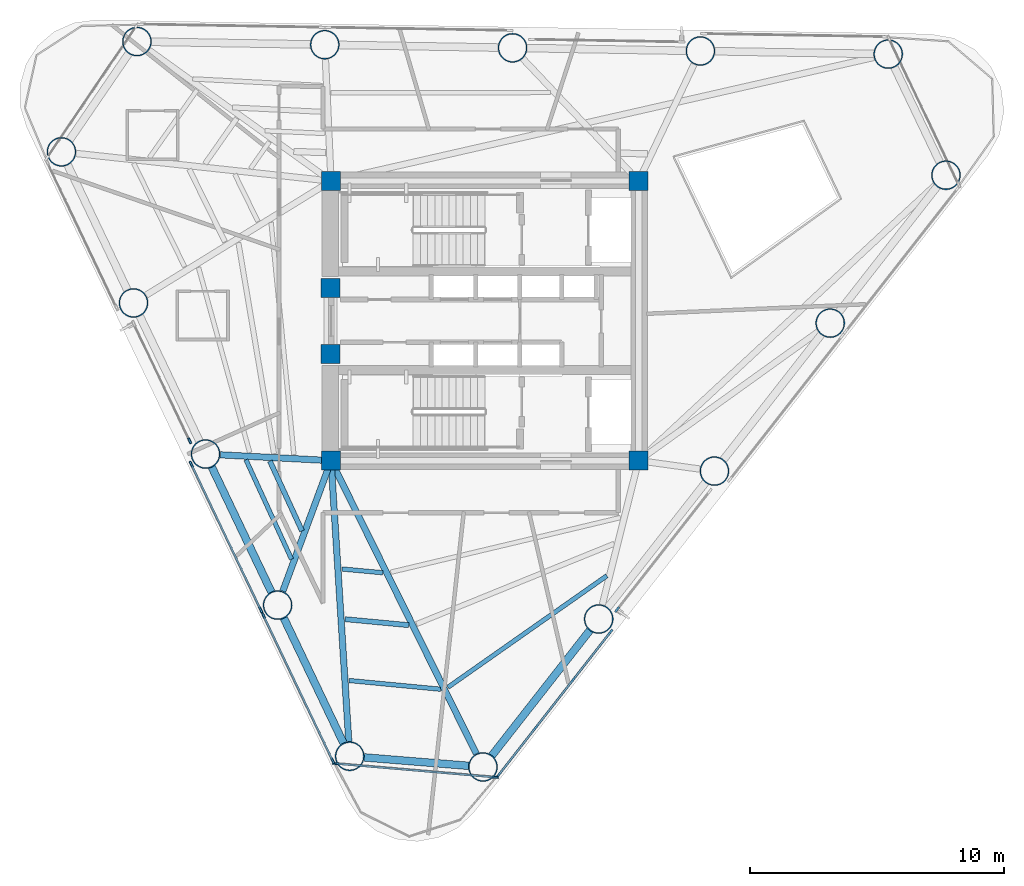
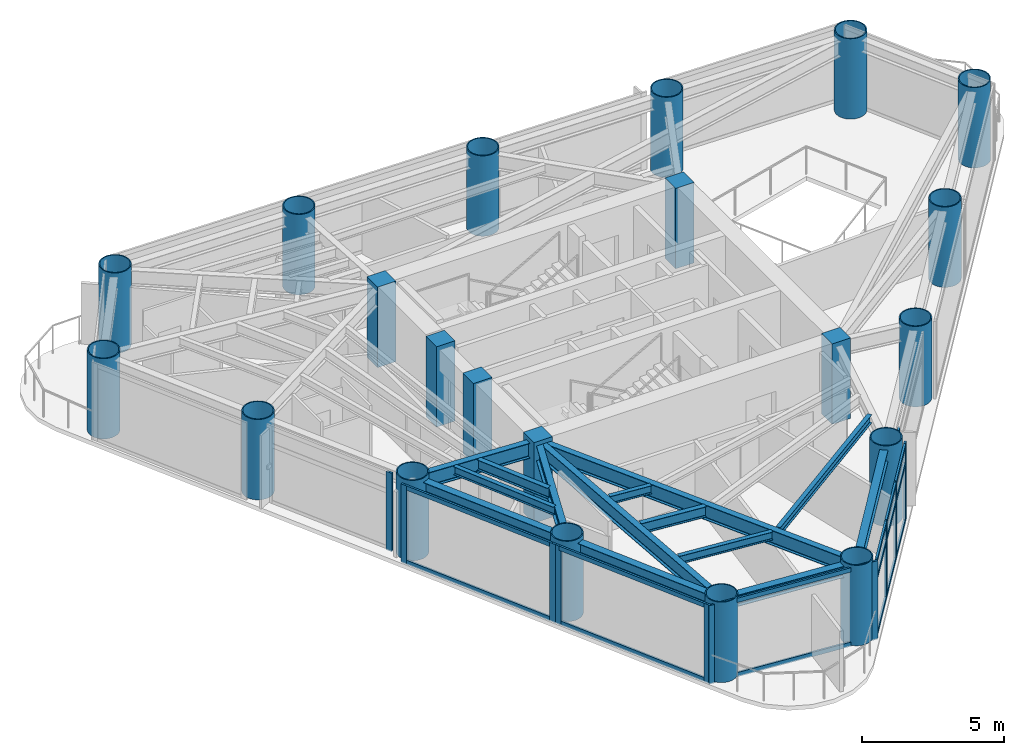
# One storey, part 1 of 9: 27 members, 21 columns, 14 beams, 6 elements without a shape of their own.
"""IFC4 building model written with IfcOpenShell, lengths in metres."""

from ifc_helpers import new_model, si_unit, direction, frame, origin, origin_2d, place, context, subcontext, project, spatial, rectangle, hollow_circle, i_section, extrude, source, transform, mapped, material, layer, layer_set, material_profile, profile_set, type_object, element, aggregate, save


model = new_model("IFC4")

# Units and contexts
model_context = context("Model", 3, precision=1e-05, world=origin(), true_north=direction((0.0, 1.0)))
body_context = subcontext(model_context, "Body", "Model", "MODEL_VIEW")
ifc_project = project(units=[si_unit("LENGTHUNIT", "METRE"), si_unit("AREAUNIT", "SQUARE_METRE"), si_unit("VOLUMEUNIT", "CUBIC_METRE"), si_unit("PLANEANGLEUNIT", "RADIAN"), si_unit("MASSUNIT", "GRAM", prefix="KILO")], contexts=[model_context])

# Site, building, storey
site_placement = place(None, origin())
site = spatial("IfcSite", under=ifc_project, at=site_placement, CompositionType="ELEMENT")
building_placement = place(site_placement, origin())
building = spatial("IfcBuilding", under=site, at=building_placement, Name="Yunling Apex Tower", CompositionType="ELEMENT")
storey_placement = place(building_placement, frame((0.0, 0.0, 208.699951171875)))
storey = spatial("IfcBuildingStorey", under=building, at=storey_placement, Name="L51", CompositionType="ELEMENT", Elevation=208.699951171875)

# Columns
ifc_material_1 = material(Name="Concrete C50", Category="concrete")
ifc_material_profile_1 = material_profile(ifc_material_1, rectangle(XDim=0.75, YDim=0.75, at=origin_2d()))
ifc_profile_set_1 = profile_set([ifc_material_profile_1], Name="Concrete C50")
column_type_1 = type_object("IfcColumnType", Name="PC-SRC-4", PredefinedType="COLUMN", material=ifc_profile_set_1)
shared_shape_1 = source(origin(), body_context, "Body", "SweptSolid", [
    extrude(rectangle(XDim=0.75, YDim=0.75, at=origin_2d()), origin(), (0.0, 0.0, 1.0), 3.449951171875),
])
for number, where, z_axis, x_axis, name in (
    (1, (-6.050048828125, -5.5, 0.0), (0.0, 0.0, 1.0), (1.0, 0.0, 0.0), "L51 Core Spine Column CC-SW"),
    (2, (6.050048828125, -5.5, 0.0), (0.0, 0.0, 1.0), (1.0, 0.0, 0.0), "L51 Core Spine Column CC-SE"),
    (3, (6.050048828125, 5.5, 0.0), (0.0, 0.0, 1.0), (1.0, 0.0, 0.0), "L51 Core Spine Column CC-NE"),
    (4, (-6.050048828125, 5.5, 0.0), (0.0, 0.0, 1.0), (1.0, 0.0, 0.0), "L51 Core Spine Column CC-NW"),
    (5, (-6.074951171875, -1.300048828125, 0.0), (0.0, 0.0, 1.0), (1.0, 0.0, 0.0), "L51 Core West Portal Jamb Column S"),
    (6, (-6.074951171875, 1.300048828125, 0.0), (0.0, 0.0, 1.0), (1.0, 0.0, 0.0), "L51 Core West Portal Jamb Column N"),
):
    element("IfcColumn", number, at=place(storey_placement, frame(where, z_axis=z_axis, x_axis=x_axis)), inside=storey, type_object=column_type_1, Name=name, PredefinedType="COLUMN", context=body_context, shape_type="MappedRepresentation", body=[
        mapped(shared_shape_1, transform((0.0, 0.0, 0.0), scale=1.0)),
    ])
ifc_material_2 = material(Name="Steel Q390GJC", Category="steel")
ifc_material_profile_2 = material_profile(ifc_material_2, hollow_circle(Radius=0.574951171875, WallThickness=0.0419921875, at=origin_2d()))
ifc_profile_set_2 = profile_set([ifc_material_profile_2], Name="Steel Q390GJC")
column_type_2 = type_object("IfcColumnType", Name="MC-CFST-4", PredefinedType="COLUMN", material=ifc_profile_set_2)
shared_shape_2 = source(origin(), body_context, "Body", "SweptSolid", [
    extrude(hollow_circle(Radius=0.574951171875, WallThickness=0.0419921875, at=origin_2d()), origin(), (0.0, 0.0, 1.0), 3.449951171875),
])
for number, where, z_axis, x_axis, name in (
    (7, (-0.073486328125, -17.55322265625, 0.0), (0.0, 0.0, 1.0), (1.0, 0.0, 0.0), "L51 Perimeter CFST Mega-Column P01"),
    (8, (4.480712890625, -11.732177734375, 0.0), (0.0, 0.0, 1.0), (1.0, 0.0, 0.0), "L51 Perimeter CFST Mega-Column P02"),
    (9, (9.03515625, -5.911376953125, 0.0), (0.0, 0.0, 1.0), (1.0, 0.0, 0.0), "L51 Perimeter CFST Mega-Column P03"),
    (10, (13.589599609375, -0.09033203125, 0.0), (0.0, 0.0, 1.0), (1.0, 0.0, 0.0), "L51 Perimeter CFST Mega-Column P04"),
    (11, (18.143798828125, 5.730712890625, 0.0), (0.0, 0.0, 1.0), (1.0, 0.0, 0.0), "L51 Perimeter CFST Mega-Column P05"),
    (12, (15.871826171875, 10.493896484375, 0.0), (0.0, 0.0, 1.0), (1.0, 0.0, 0.0), "L51 Perimeter CFST Mega-Column P06"),
    (13, (8.48193359375, 10.617919921875, 0.0), (0.0, 0.0, 1.0), (1.0, 0.0, 0.0), "L51 Perimeter CFST Mega-Column P07"),
    (14, (1.092041015625, 10.74169921875, 0.0), (0.0, 0.0, 1.0), (1.0, 0.0, 0.0), "L51 Perimeter CFST Mega-Column P08"),
    (15, (-6.2978515625, 10.865478515625, 0.0), (0.0, 0.0, 1.0), (1.0, 0.0, 0.0), "L51 Perimeter CFST Mega-Column P09"),
    (16, (-13.687744140625, 10.989501953125, 0.0), (0.0, 0.0, 1.0), (1.0, 0.0, 0.0), "L51 Perimeter CFST Mega-Column P10"),
    (17, (-16.657958984375, 6.649169921875, 0.0), (0.0, 0.0, 1.0), (1.0, 0.0, 0.0), "L51 Perimeter CFST Mega-Column P11"),
    (18, (-13.822509765625, 0.704345703125, 0.0), (0.0, 0.0, 1.0), (1.0, 0.0, 0.0), "L51 Perimeter CFST Mega-Column P12"),
    (19, (-10.98681640625, -5.240478515625, 0.0), (0.0, 0.0, 1.0), (1.0, 0.0, 0.0), "L51 Perimeter CFST Mega-Column P13"),
    (20, (-8.1513671875, -11.185302734375, 0.0), (0.0, 0.0, 1.0), (1.0, 0.0, 0.0), "L51 Perimeter CFST Mega-Column P14"),
    (21, (-5.31591796875, -17.130126953125, 0.0), (0.0, 0.0, 1.0), (1.0, 0.0, 0.0), "L51 Perimeter CFST Mega-Column P15"),
):
    element("IfcColumn", number, at=place(storey_placement, frame(where, z_axis=z_axis, x_axis=x_axis)), inside=storey, type_object=column_type_2, Name=name, PredefinedType="COLUMN", context=body_context, shape_type="MappedRepresentation", body=[
        mapped(shared_shape_2, transform((0.0, 0.0, 0.0), scale=1.0)),
    ])

# Beams
ifc_material_3 = material(Name="Steel Q355B", Category="steel")
ifc_material_profile_3 = material_profile(ifc_material_3, i_section(OverallWidth=0.300048828125, OverallDepth=0.489990234375, WebThickness=0.010986328125, FlangeThickness=0.01806640625, FilletRadius=0.02197265625, at=origin_2d()))
ifc_profile_set_3 = profile_set([ifc_material_profile_3], Name="Steel Q355B")
beam_type_1 = type_object("IfcBeamType", Name="BP-SPN-2", PredefinedType="SPANDREL", material=ifc_profile_set_3)
shared_shape_3 = source(origin(), body_context, "Body", "SweptSolid", [
    extrude(i_section(OverallWidth=0.300048828125, OverallDepth=0.489990234375, WebThickness=0.010986328125, FlangeThickness=0.01806640625, FilletRadius=0.02197265625, at=origin_2d()), origin(), (0.0, 0.0, 1.0), 6.252685546875),
])
beam_1_placement = place(storey_placement, frame((0.277099609375, -17.10498046875, 3.025146484375), z_axis=(0.616211399259, 0.787580796759, 0.0), x_axis=(-0.787580796759, 0.616211399259, 0.0)))
element("IfcBeam", 22, at=beam_1_placement, inside=storey, type_object=beam_type_1, Name="L51 Perimeter Spandrel Beam 1", PredefinedType="SPANDREL", context=body_context, shape_type="MappedRepresentation", body=[
    mapped(shared_shape_3, transform((0.0, 0.0, 0.0), scale=1.0)),
])
shared_shape_4 = source(origin(), body_context, "Body", "SweptSolid", [
    extrude(i_section(OverallWidth=0.300048828125, OverallDepth=0.489990234375, WebThickness=0.010986328125, FlangeThickness=0.01806640625, FilletRadius=0.02197265625, at=origin_2d()), origin(), (0.0, 0.0, 1.0), 4.121337890625),
])
beam_2_placement = place(storey_placement, frame((-4.74853515625, -17.17578125, 3.025146484375), z_axis=(0.996758900332, -0.080446843376, 0.0), x_axis=(0.080446843376, 0.996758900332, 0.0)))
element("IfcBeam", 23, at=beam_2_placement, inside=storey, type_object=beam_type_1, Name="L51 Perimeter Spandrel Beam 15", PredefinedType="SPANDREL", context=body_context, shape_type="MappedRepresentation", body=[
    mapped(shared_shape_4, transform((0.0, 0.0, 0.0), scale=1.0)),
])
shared_shape_5 = source(origin(), body_context, "Body", "SweptSolid", [
    extrude(i_section(OverallWidth=0.300048828125, OverallDepth=0.489990234375, WebThickness=0.010986328125, FlangeThickness=0.01806640625, FilletRadius=0.02197265625, at=origin_2d()), origin(), (0.0, 0.0, 1.0), 5.4482421875),
])
for number, where, z_axis, x_axis, name in (
    (24, (-10.741943359375, -5.754150390625, 3.025146484375), (0.430538797564, -0.902572071246, 0.0), (0.902572071246, 0.430538797564, 0.0), "L51 Perimeter Spandrel Beam 13"),
    (25, (-7.90625, -11.698974609375, 3.025146484375), (0.430502292287, -0.902589483839, 0.0), (0.902589483839, 0.430502292287, 0.0), "L51 Perimeter Spandrel Beam 14"),
):
    element("IfcBeam", number, at=place(storey_placement, frame(where, z_axis=z_axis, x_axis=x_axis)), inside=storey, type_object=beam_type_1, Name=name, PredefinedType="SPANDREL", context=body_context, shape_type="MappedRepresentation", body=[
        mapped(shared_shape_5, transform((0.0, 0.0, 0.0), scale=1.0)),
    ])
ifc_material_profile_4 = material_profile(ifc_material_3, i_section(OverallWidth=0.25, OverallDepth=0.64990234375, WebThickness=0.011962890625, FlangeThickness=0.02001953125, FilletRadius=0.02392578125, at=origin_2d()))
ifc_profile_set_4 = profile_set([ifc_material_profile_4], Name="Steel Q355B")
beam_type_2 = type_object("IfcBeamType", Name="BG-PRI-4", PredefinedType="USERDEFINED", material=ifc_profile_set_4)
shared_shape_6 = source(origin(), body_context, "Body", "SweptSolid", [
    extrude(i_section(OverallWidth=0.25, OverallDepth=0.64990234375, WebThickness=0.011962890625, FlangeThickness=0.02001953125, FilletRadius=0.02392578125, at=origin_2d()), origin(), (0.0, 0.0, 1.0), 12.79052734375),
])
beam_3_placement = place(storey_placement, frame((-0.33251953125, -17.031005859375, 2.945068359375), z_axis=(-0.444225803272, 0.895914859631, 0.0), x_axis=(-0.895914859631, -0.444225803272, 0.0)))
element("IfcBeam", 26, at=beam_3_placement, inside=storey, type_object=beam_type_2, Name="L51 Radial Primary Girder R01", ObjectType="GIRDER", PredefinedType="USERDEFINED", context=body_context, shape_type="MappedRepresentation", body=[
    mapped(shared_shape_6, transform((0.0, 0.0, 0.0), scale=1.0)),
])
shared_shape_7 = source(origin(), body_context, "Body", "SweptSolid", [
    extrude(i_section(OverallWidth=0.25, OverallDepth=0.64990234375, WebThickness=0.011962890625, FlangeThickness=0.02001953125, FilletRadius=0.02392578125, at=origin_2d()), origin(), (0.0, 0.0, 1.0), 4.28076171875),
])
beam_4_placement = place(storey_placement, frame((-10.40478515625, -5.27099609375, 2.945068359375), z_axis=(0.998619561788, -0.052525906134, 0.0), x_axis=(0.052525906134, 0.998619561788, 0.0)))
element("IfcBeam", 27, at=beam_4_placement, inside=storey, type_object=beam_type_2, Name="L51 Radial Primary Girder R13", ObjectType="GIRDER", PredefinedType="USERDEFINED", context=body_context, shape_type="MappedRepresentation", body=[
    mapped(shared_shape_7, transform((0.0, 0.0, 0.0), scale=1.0)),
])
shared_shape_8 = source(origin(), body_context, "Body", "SweptSolid", [
    extrude(i_section(OverallWidth=0.25, OverallDepth=0.64990234375, WebThickness=0.011962890625, FlangeThickness=0.02001953125, FilletRadius=0.02392578125, at=origin_2d()), origin(), (0.0, 0.0, 1.0), 5.398193359375),
])
beam_5_placement = place(storey_placement, frame((-7.94921875, -10.638427734375, 2.945068359375), z_axis=(0.346698581513, 0.937976595431, 0.0), x_axis=(-0.937976595431, 0.346698581513, 0.0)))
element("IfcBeam", 28, at=beam_5_placement, inside=storey, type_object=beam_type_2, Name="L51 Radial Primary Girder R14", ObjectType="GIRDER", PredefinedType="USERDEFINED", context=body_context, shape_type="MappedRepresentation", body=[
    mapped(shared_shape_8, transform((0.0, 0.0, 0.0), scale=1.0)),
])
shared_shape_9 = source(origin(), body_context, "Body", "SweptSolid", [
    extrude(i_section(OverallWidth=0.25, OverallDepth=0.64990234375, WebThickness=0.011962890625, FlangeThickness=0.02001953125, FilletRadius=0.02392578125, at=origin_2d()), origin(), (0.0, 0.0, 1.0), 10.990234375),
])
beam_6_placement = place(storey_placement, frame((-5.3525390625, -16.54833984375, 2.945068359375), z_axis=(-0.062999232086, 0.998013575437, 0.0), x_axis=(-0.998013575437, -0.062999232086, 0.0)))
element("IfcBeam", 29, at=beam_6_placement, inside=storey, type_object=beam_type_2, Name="L51 Radial Primary Girder R15", ObjectType="GIRDER", PredefinedType="USERDEFINED", context=body_context, shape_type="MappedRepresentation", body=[
    mapped(shared_shape_9, transform((0.0, 0.0, 0.0), scale=1.0)),
])
ifc_material_profile_5 = material_profile(ifc_material_3, i_section(OverallWidth=0.175048828125, OverallDepth=0.35009765625, WebThickness=0.007080078125, FlangeThickness=0.010986328125, FilletRadius=0.013916015625, at=origin_2d()))
ifc_profile_set_5 = profile_set([ifc_material_profile_5], Name="Steel Q355B")
beam_type_3 = type_object("IfcBeamType", Name="BJ-JST-1", PredefinedType="JOIST", material=ifc_profile_set_5)
shared_shape_10 = source(origin(), body_context, "Body", "SweptSolid", [
    extrude(i_section(OverallWidth=0.175048828125, OverallDepth=0.35009765625, WebThickness=0.007080078125, FlangeThickness=0.010986328125, FilletRadius=0.013916015625, at=origin_2d()), origin(), (0.0, 0.0, 1.0), 7.639892578125),
])
beam_7_placement = place(storey_placement, frame((-1.45166015625, -14.41796875, 3.094970703125), z_axis=(0.818522685397, 0.574474206113, 0.0), x_axis=(-0.574474206113, 0.818522685397, 0.0)))
element("IfcBeam", 30, at=beam_7_placement, inside=storey, type_object=beam_type_3, Name="L51 Composite Floor Joist BJ1-1", PredefinedType="JOIST", context=body_context, shape_type="MappedRepresentation", body=[
    mapped(shared_shape_10, transform((0.0, 0.0, 0.0), scale=1.0)),
])
ifc_material_profile_6 = material_profile(ifc_material_3, i_section(OverallWidth=0.199951171875, OverallDepth=0.449951171875, WebThickness=0.009033203125, FlangeThickness=0.013916015625, FilletRadius=0.01806640625, at=origin_2d()))
ifc_profile_set_6 = profile_set([ifc_material_profile_6], Name="Steel Q355B")
beam_type_4 = type_object("IfcBeamType", Name="BS-SEC-3", PredefinedType="BEAM", material=ifc_profile_set_6)
shared_shape_11 = source(origin(), body_context, "Body", "SweptSolid", [
    extrude(i_section(OverallWidth=0.199951171875, OverallDepth=0.449951171875, WebThickness=0.009033203125, FlangeThickness=0.013916015625, FilletRadius=0.01806640625, at=origin_2d()), origin(), (0.0, 0.0, 1.0), 3.0263671875),
])
beam_8_placement = place(storey_placement, frame((-8.456787109375, -5.515380859375, 3.045166015625), z_axis=(0.417707186738, -0.908581700315, 0.0), x_axis=(0.908581700315, 0.417707186738, 0.0)))
element("IfcBeam", 31, at=beam_8_placement, inside=storey, type_object=beam_type_4, Name="L51 Composite Floor Beam BS-13", PredefinedType="BEAM", context=body_context, shape_type="MappedRepresentation", body=[
    mapped(shared_shape_11, transform((0.0, 0.0, 0.0), scale=1.0)),
])
shared_shape_12 = source(origin(), body_context, "Body", "SweptSolid", [
    extrude(i_section(OverallWidth=0.175048828125, OverallDepth=0.35009765625, WebThickness=0.007080078125, FlangeThickness=0.010986328125, FilletRadius=0.013916015625, at=origin_2d()), origin(), (0.0, 0.0, 1.0), 4.3046875),
])
beam_9_placement = place(storey_placement, frame((-9.397705078125, -5.466064453125, 3.094970703125), z_axis=(0.416693768596, -0.909046920248, 0.0), x_axis=(0.909046920248, 0.416693768596, 0.0)))
element("IfcBeam", 32, at=beam_9_placement, inside=storey, type_object=beam_type_3, Name="L51 Composite Floor Joist BJ1-13", PredefinedType="JOIST", context=body_context, shape_type="MappedRepresentation", body=[
    mapped(shared_shape_12, transform((0.0, 0.0, 0.0), scale=1.0)),
])
shared_shape_13 = source(origin(), body_context, "Body", "SweptSolid", [
    extrude(i_section(OverallWidth=0.199951171875, OverallDepth=0.449951171875, WebThickness=0.009033203125, FlangeThickness=0.013916015625, FilletRadius=0.01806640625, at=origin_2d()), origin(), (0.0, 0.0, 1.0), 2.51708984375),
])
beam_10_placement = place(storey_placement, frame((-5.497802734375, -11.7373046875, 3.045166015625), z_axis=(0.995573168634, -0.093989711653, 0.0), x_axis=(0.093989711653, 0.995573168634, 0.0)))
element("IfcBeam", 33, at=beam_10_placement, inside=storey, type_object=beam_type_4, Name="L51 Composite Floor Beam BS-15", PredefinedType="BEAM", context=body_context, shape_type="MappedRepresentation", body=[
    mapped(shared_shape_13, transform((0.0, 0.0, 0.0), scale=1.0)),
])
shared_shape_14 = source(origin(), body_context, "Body", "SweptSolid", [
    extrude(i_section(OverallWidth=0.175048828125, OverallDepth=0.35009765625, WebThickness=0.007080078125, FlangeThickness=0.010986328125, FilletRadius=0.013916015625, at=origin_2d()), origin(), (0.0, 0.0, 1.0), 3.620361328125),
])
beam_11_placement = place(storey_placement, frame((-5.345703125, -14.150390625, 3.094970703125), z_axis=(0.99546937037, -0.095082767391, 0.0), x_axis=(0.095082767391, 0.99546937037, 0.0)))
element("IfcBeam", 34, at=beam_11_placement, inside=storey, type_object=beam_type_3, Name="L51 Composite Floor Joist BJ1-15", PredefinedType="JOIST", context=body_context, shape_type="MappedRepresentation", body=[
    mapped(shared_shape_14, transform((0.0, 0.0, 0.0), scale=1.0)),
])
shared_shape_15 = source(origin(), body_context, "Body", "SweptSolid", [
    extrude(i_section(OverallWidth=0.175048828125, OverallDepth=0.35009765625, WebThickness=0.007080078125, FlangeThickness=0.010986328125, FilletRadius=0.013916015625, at=origin_2d()), origin(), (0.0, 0.0, 1.0), 1.61474609375),
])
beam_12_placement = place(storey_placement, frame((-5.62255859375, -9.7626953125, 3.094970703125), z_axis=(0.995751976421, -0.092076063413, 0.0), x_axis=(0.092076063413, 0.995751976421, 0.0)))
element("IfcBeam", 35, at=beam_12_placement, inside=storey, type_object=beam_type_3, Name="L51 Composite Floor Joist BJ3-15", PredefinedType="JOIST", context=body_context, shape_type="MappedRepresentation", body=[
    mapped(shared_shape_15, transform((0.0, 0.0, 0.0), scale=1.0)),
])

# Curtain wall, members
ifc_material_4 = material(Name="Bronze anodised aluminium", Category="aluminium")
ifc_layer = layer(ifc_material_4, 0.239990234375)
ifc_layer_set = layer_set([ifc_layer], Name="Bronze anodised aluminium")
curtain_wall_type = type_object("IfcCurtainWallType", Name="CW-SYS-3", PredefinedType="NOTDEFINED", material=ifc_layer_set)
curtain_wall_1_placement = place(storey_placement, origin())
curtain_wall_1 = element("IfcCurtainWall", 36, at=curtain_wall_1_placement, inside=storey, type_object=curtain_wall_type, Name="CW-L51-F1-B1", PredefinedType="NOTDEFINED")
ifc_material_profile_7 = material_profile(ifc_material_4, rectangle(XDim=0.080078125, YDim=0.239990234375, at=origin_2d()))
ifc_profile_set_7 = profile_set([ifc_material_profile_7], Name="Bronze anodised aluminium")
member_type_1 = type_object("IfcMemberType", Name="CW-MUL-3", PredefinedType="MULLION", material=ifc_profile_set_7)
shared_shape_16 = source(origin(), body_context, "Body", "SweptSolid", [
    extrude(rectangle(XDim=0.080078125, YDim=0.239990234375, at=origin_2d()), origin(), (0.0, 0.0, 1.0), 3.3701171875),
])
member_1_placement = place(storey_placement, frame((0.535888671875, -17.877685546875, -0.050048828125), z_axis=(0.0, 0.0, 1.0), x_axis=(-0.787589332433, 0.616200489644, 0.0)))
member_1 = element("IfcMember", 37, at=member_1_placement, type_object=member_type_1, Name="CW-SYS-3 mullion 1", PredefinedType="MULLION", context=body_context, shape_type="MappedRepresentation", body=[
    mapped(shared_shape_16, transform((0.0, 0.0, 0.0), scale=1.0)),
])
member_2_placement = place(storey_placement, frame((1.99658203125, -16.010986328125, -0.050048828125), z_axis=(0.0, 0.0, 1.0), x_axis=(-0.787589332433, 0.616200489644, 0.0)))
member_2 = element("IfcMember", 38, at=member_2_placement, type_object=member_type_1, Name="CW-SYS-3 mullion 2", PredefinedType="MULLION", context=body_context, shape_type="MappedRepresentation", body=[
    mapped(shared_shape_16, transform((0.0, 0.0, 0.0), scale=1.0)),
])
member_3_placement = place(storey_placement, frame((3.481689453125, -14.112548828125, -0.050048828125), z_axis=(0.0, 0.0, 1.0), x_axis=(-0.787589332433, 0.616200489644, 0.0)))
member_3 = element("IfcMember", 39, at=member_3_placement, type_object=member_type_1, Name="CW-SYS-3 mullion 3", PredefinedType="MULLION", context=body_context, shape_type="MappedRepresentation", body=[
    mapped(shared_shape_16, transform((0.0, 0.0, 0.0), scale=1.0)),
])
member_4_placement = place(storey_placement, frame((4.9423828125, -12.24560546875, -0.050048828125), z_axis=(0.0, 0.0, 1.0), x_axis=(-0.787589332433, 0.616200489644, 0.0)))
member_4 = element("IfcMember", 40, at=member_4_placement, type_object=member_type_1, Name="CW-SYS-3 mullion 4", PredefinedType="MULLION", context=body_context, shape_type="MappedRepresentation", body=[
    mapped(shared_shape_16, transform((0.0, 0.0, 0.0), scale=1.0)),
])

# Curtain wall, member
curtain_wall_2_placement = place(storey_placement, origin())
curtain_wall_2 = element("IfcCurtainWall", 41, at=curtain_wall_2_placement, inside=storey, type_object=curtain_wall_type, Name="CW-L51-F1-B2", PredefinedType="NOTDEFINED")
member_5_placement = place(storey_placement, frame((5.20458984375, -11.35888671875, -0.050048828125), z_axis=(0.0, 0.0, 1.0), x_axis=(-0.787576499109, 0.616216892053, 0.0)))
member_5 = element("IfcMember", 42, at=member_5_placement, type_object=member_type_1, Name="CW-SYS-3 mullion 1", PredefinedType="MULLION", context=body_context, shape_type="MappedRepresentation", body=[
    mapped(shared_shape_16, transform((0.0, 0.0, 0.0), scale=1.0)),
])
aggregate(curtain_wall_2, [member_5])

curtain_wall_3_placement = place(storey_placement, origin())
curtain_wall_3 = element("IfcCurtainWall", 43, at=curtain_wall_3_placement, inside=storey, type_object=curtain_wall_type, Name="CW-L51-F3-B2", PredefinedType="NOTDEFINED")
member_6_placement = place(storey_placement, frame((-11.6123046875, -4.718994140625, -0.050048828125), z_axis=(0.0, 0.0, 1.0), x_axis=(0.902583049107, 0.430515783062, 0.0)))
member_6 = element("IfcMember", 44, at=member_6_placement, type_object=member_type_1, Name="CW-SYS-3 mullion 2", PredefinedType="MULLION", context=body_context, shape_type="MappedRepresentation", body=[
    mapped(shared_shape_16, transform((0.0, 0.0, 0.0), scale=1.0)),
])
aggregate(curtain_wall_3, [member_6])

# Curtain wall, members
curtain_wall_4_placement = place(storey_placement, origin())
curtain_wall_4 = element("IfcCurtainWall", 45, at=curtain_wall_4_placement, inside=storey, type_object=curtain_wall_type, Name="CW-L51-F3-B3", PredefinedType="NOTDEFINED")
member_7_placement = place(storey_placement, frame((-11.549072265625, -5.6416015625, -0.050048828125), z_axis=(0.0, 0.0, 1.0), x_axis=(0.902588239851, 0.430504900417, 0.0)))
member_7 = element("IfcMember", 46, at=member_7_placement, type_object=member_type_1, Name="CW-SYS-3 mullion 1", PredefinedType="MULLION", context=body_context, shape_type="MappedRepresentation", body=[
    mapped(shared_shape_16, transform((0.0, 0.0, 0.0), scale=1.0)),
])
member_8_placement = place(storey_placement, frame((-8.81689453125, -11.36962890625, -0.050048828125), z_axis=(0.0, 0.0, 1.0), x_axis=(0.902588239851, 0.430504900417, 0.0)))
member_8 = element("IfcMember", 47, at=member_8_placement, type_object=member_type_1, Name="CW-SYS-3 mullion 2", PredefinedType="MULLION", context=body_context, shape_type="MappedRepresentation", body=[
    mapped(shared_shape_16, transform((0.0, 0.0, 0.0), scale=1.0)),
])

curtain_wall_5_placement = place(storey_placement, origin())
curtain_wall_5 = element("IfcCurtainWall", 48, at=curtain_wall_5_placement, inside=storey, type_object=curtain_wall_type, Name="CW-L51-F3-B4", PredefinedType="NOTDEFINED")
member_9_placement = place(storey_placement, frame((-8.71337890625, -11.586181640625, -0.050048828125), z_axis=(0.0, 0.0, 1.0), x_axis=(0.902582193367, 0.430517577128, 0.0)))
member_9 = element("IfcMember", 49, at=member_9_placement, type_object=member_type_1, Name="CW-SYS-3 mullion 1", PredefinedType="MULLION", context=body_context, shape_type="MappedRepresentation", body=[
    mapped(shared_shape_16, transform((0.0, 0.0, 0.0), scale=1.0)),
])
member_10_placement = place(storey_placement, frame((-5.981201171875, -17.314453125, -0.050048828125), z_axis=(0.0, 0.0, 1.0), x_axis=(0.902582193367, 0.430517577128, 0.0)))
member_10 = element("IfcMember", 50, at=member_10_placement, type_object=member_type_1, Name="CW-SYS-3 mullion 2", PredefinedType="MULLION", context=body_context, shape_type="MappedRepresentation", body=[
    mapped(shared_shape_16, transform((0.0, 0.0, 0.0), scale=1.0)),
])

curtain_wall_6_placement = place(storey_placement, origin())
curtain_wall_6 = element("IfcCurtainWall", 51, at=curtain_wall_6_placement, inside=storey, type_object=curtain_wall_type, Name="CW-L51-CRN3", PredefinedType="NOTDEFINED")
member_11_placement = place(storey_placement, frame((-5.87158203125, -17.417724609375, -0.050048828125), z_axis=(0.0, 0.0, 1.0), x_axis=(0.085517150026, 0.996336698637, 0.0)))
member_11 = element("IfcMember", 52, at=member_11_placement, type_object=member_type_1, Name="CW-SYS-3 mullion 1", PredefinedType="MULLION", context=body_context, shape_type="MappedRepresentation", body=[
    mapped(shared_shape_16, transform((0.0, 0.0, 0.0), scale=1.0)),
])
member_12_placement = place(storey_placement, frame((0.406494140625, -17.95654296875, -0.050048828125), z_axis=(0.0, 0.0, 1.0), x_axis=(0.085517150026, 0.996336698637, 0.0)))
member_12 = element("IfcMember", 53, at=member_12_placement, type_object=member_type_1, Name="CW-SYS-3 mullion 2", PredefinedType="MULLION", context=body_context, shape_type="MappedRepresentation", body=[
    mapped(shared_shape_16, transform((0.0, 0.0, 0.0), scale=1.0)),
])

# Member
ifc_material_profile_8 = material_profile(ifc_material_4, rectangle(XDim=0.080078125, YDim=0.18505859375, at=origin_2d()))
ifc_profile_set_8 = profile_set([ifc_material_profile_8], Name="Bronze anodised aluminium")
member_type_2 = type_object("IfcMemberType", Name="CW-TRN-3", PredefinedType="USERDEFINED", material=ifc_profile_set_8)
shared_shape_17 = source(origin(), body_context, "Body", "SweptSolid", [
    extrude(rectangle(XDim=0.080078125, YDim=0.18505859375, at=origin_2d()), origin(), (0.0, 0.0, 1.0), 2.29833984375),
])
member_13_placement = place(storey_placement, frame((0.55810546875, -17.849365234375, 0.0400390625), z_axis=(0.616225194125, 0.787570003317, 0.0), x_axis=(-0.787570003317, 0.616225194125, 0.0)))
member_13 = element("IfcMember", 54, at=member_13_placement, type_object=member_type_2, Name="CW-SYS-3 transom 1.1", ObjectType="TRANSOM", PredefinedType="USERDEFINED", context=body_context, shape_type="MappedRepresentation", body=[
    mapped(shared_shape_17, transform((0.0, 0.0, 0.0), scale=1.0)),
])

member_14_placement = place(storey_placement, frame((0.55810546875, -17.849365234375, 2.4853515625), z_axis=(0.616225194125, 0.787570003317, 0.0), x_axis=(-0.787570003317, 0.616225194125, 0.0)))
member_14 = element("IfcMember", 55, at=member_14_placement, type_object=member_type_2, Name="CW-SYS-3 transom 1.2", ObjectType="TRANSOM", PredefinedType="USERDEFINED", context=body_context, shape_type="MappedRepresentation", body=[
    mapped(shared_shape_17, transform((0.0, 0.0, 0.0), scale=1.0)),
])

member_15_placement = place(storey_placement, frame((0.55810546875, -17.849365234375, 3.22998046875), z_axis=(0.616225194125, 0.787570003317, 0.0), x_axis=(-0.787570003317, 0.616225194125, 0.0)))
member_15 = element("IfcMember", 56, at=member_15_placement, type_object=member_type_2, Name="CW-SYS-3 transom 1.3", ObjectType="TRANSOM", PredefinedType="USERDEFINED", context=body_context, shape_type="MappedRepresentation", body=[
    mapped(shared_shape_17, transform((0.0, 0.0, 0.0), scale=1.0)),
])

member_16_placement = place(storey_placement, frame((3.50390625, -14.084228515625, 0.0400390625), z_axis=(0.616225194125, 0.787570003317, 0.0), x_axis=(-0.787570003317, 0.616225194125, 0.0)))
member_16 = element("IfcMember", 57, at=member_16_placement, type_object=member_type_2, Name="CW-SYS-3 transom 3.1", ObjectType="TRANSOM", PredefinedType="USERDEFINED", context=body_context, shape_type="MappedRepresentation", body=[
    mapped(shared_shape_17, transform((0.0, 0.0, 0.0), scale=1.0)),
])

member_17_placement = place(storey_placement, frame((3.50390625, -14.084228515625, 2.4853515625), z_axis=(0.616225194125, 0.787570003317, 0.0), x_axis=(-0.787570003317, 0.616225194125, 0.0)))
member_17 = element("IfcMember", 58, at=member_17_placement, type_object=member_type_2, Name="CW-SYS-3 transom 3.2", ObjectType="TRANSOM", PredefinedType="USERDEFINED", context=body_context, shape_type="MappedRepresentation", body=[
    mapped(shared_shape_17, transform((0.0, 0.0, 0.0), scale=1.0)),
])

member_18_placement = place(storey_placement, frame((3.50390625, -14.084228515625, 3.22998046875), z_axis=(0.616225194125, 0.787570003317, 0.0), x_axis=(-0.787570003317, 0.616225194125, 0.0)))
member_18 = element("IfcMember", 59, at=member_18_placement, type_object=member_type_2, Name="CW-SYS-3 transom 3.3", ObjectType="TRANSOM", PredefinedType="USERDEFINED", context=body_context, shape_type="MappedRepresentation", body=[
    mapped(shared_shape_17, transform((0.0, 0.0, 0.0), scale=1.0)),
])

shared_shape_18 = source(origin(), body_context, "Body", "SweptSolid", [
    extrude(rectangle(XDim=0.080078125, YDim=0.18505859375, at=origin_2d()), origin(), (0.0, 0.0, 1.0), 2.338134765625),
])
member_19_placement = place(storey_placement, frame((2.018798828125, -15.982421875, 0.0400390625), z_axis=(0.61616466275, 0.787617361654, 0.0), x_axis=(-0.787617361654, 0.61616466275, 0.0)))
member_19 = element("IfcMember", 60, at=member_19_placement, type_object=member_type_2, Name="CW-SYS-3 transom 2.1", ObjectType="TRANSOM", PredefinedType="USERDEFINED", context=body_context, shape_type="MappedRepresentation", body=[
    mapped(shared_shape_18, transform((0.0, 0.0, 0.0), scale=1.0)),
])

member_20_placement = place(storey_placement, frame((2.018798828125, -15.982421875, 2.4853515625), z_axis=(0.61616466275, 0.787617361654, 0.0), x_axis=(-0.787617361654, 0.61616466275, 0.0)))
member_20 = element("IfcMember", 61, at=member_20_placement, type_object=member_type_2, Name="CW-SYS-3 transom 2.2", ObjectType="TRANSOM", PredefinedType="USERDEFINED", context=body_context, shape_type="MappedRepresentation", body=[
    mapped(shared_shape_18, transform((0.0, 0.0, 0.0), scale=1.0)),
])

member_21_placement = place(storey_placement, frame((2.018798828125, -15.982421875, 3.22998046875), z_axis=(0.61616466275, 0.787617361654, 0.0), x_axis=(-0.787617361654, 0.61616466275, 0.0)))
member_21 = element("IfcMember", 62, at=member_21_placement, type_object=member_type_2, Name="CW-SYS-3 transom 2.3", ObjectType="TRANSOM", PredefinedType="USERDEFINED", context=body_context, shape_type="MappedRepresentation", body=[
    mapped(shared_shape_18, transform((0.0, 0.0, 0.0), scale=1.0)),
])

aggregate(curtain_wall_1, [member_1, member_2, member_3, member_4, member_13, member_14, member_15, member_19, member_20, member_21, member_16, member_17, member_18])

shared_shape_19 = source(origin(), body_context, "Body", "SweptSolid", [
    extrude(rectangle(XDim=0.080078125, YDim=0.18505859375, at=origin_2d()), origin(), (0.0, 0.0, 1.0), 6.2744140625),
])
member_22_placement = place(storey_placement, frame((-11.533447265625, -5.674072265625, 0.0400390625), z_axis=(0.430513491492, -0.902584142141, 0.0), x_axis=(0.902584142141, 0.430513491492, 0.0)))
member_22 = element("IfcMember", 63, at=member_22_placement, type_object=member_type_2, Name="CW-SYS-3 transom 1.1", ObjectType="TRANSOM", PredefinedType="USERDEFINED", context=body_context, shape_type="MappedRepresentation", body=[
    mapped(shared_shape_19, transform((0.0, 0.0, 0.0), scale=1.0)),
])

member_23_placement = place(storey_placement, frame((-11.533447265625, -5.674072265625, 3.22998046875), z_axis=(0.430513491492, -0.902584142141, 0.0), x_axis=(0.902584142141, 0.430513491492, 0.0)))
member_23 = element("IfcMember", 64, at=member_23_placement, type_object=member_type_2, Name="CW-SYS-3 transom 1.2", ObjectType="TRANSOM", PredefinedType="USERDEFINED", context=body_context, shape_type="MappedRepresentation", body=[
    mapped(shared_shape_19, transform((0.0, 0.0, 0.0), scale=1.0)),
])

aggregate(curtain_wall_4, [member_7, member_8, member_22, member_23])

member_24_placement = place(storey_placement, frame((-8.697998046875, -11.618896484375, 0.0400390625), z_axis=(0.430513491492, -0.902584142141, 0.0), x_axis=(0.902584142141, 0.430513491492, 0.0)))
member_24 = element("IfcMember", 65, at=member_24_placement, type_object=member_type_2, Name="CW-SYS-3 transom 1.1", ObjectType="TRANSOM", PredefinedType="USERDEFINED", context=body_context, shape_type="MappedRepresentation", body=[
    mapped(shared_shape_19, transform((0.0, 0.0, 0.0), scale=1.0)),
])

member_25_placement = place(storey_placement, frame((-8.697998046875, -11.618896484375, 3.22998046875), z_axis=(0.430513491492, -0.902584142141, 0.0), x_axis=(0.902584142141, 0.430513491492, 0.0)))
member_25 = element("IfcMember", 66, at=member_25_placement, type_object=member_type_2, Name="CW-SYS-3 transom 1.2", ObjectType="TRANSOM", PredefinedType="USERDEFINED", context=body_context, shape_type="MappedRepresentation", body=[
    mapped(shared_shape_19, transform((0.0, 0.0, 0.0), scale=1.0)),
])

aggregate(curtain_wall_5, [member_9, member_10, member_24, member_25])

shared_shape_20 = source(origin(), body_context, "Body", "SweptSolid", [
    extrude(rectangle(XDim=0.080078125, YDim=0.18505859375, at=origin_2d()), origin(), (0.0, 0.0, 1.0), 6.22900390625),
])
member_26_placement = place(storey_placement, frame((-5.835693359375, -17.420654296875, 0.0400390625), z_axis=(0.996336446565, -0.085520086795, 0.0), x_axis=(0.085520086795, 0.996336446565, 0.0)))
member_26 = element("IfcMember", 67, at=member_26_placement, type_object=member_type_2, Name="CW-SYS-3 transom 1.1", ObjectType="TRANSOM", PredefinedType="USERDEFINED", context=body_context, shape_type="MappedRepresentation", body=[
    mapped(shared_shape_20, transform((0.0, 0.0, 0.0), scale=1.0)),
])

member_27_placement = place(storey_placement, frame((-5.835693359375, -17.420654296875, 3.22998046875), z_axis=(0.996336446565, -0.085520086795, 0.0), x_axis=(0.085520086795, 0.996336446565, 0.0)))
member_27 = element("IfcMember", 68, at=member_27_placement, type_object=member_type_2, Name="CW-SYS-3 transom 1.2", ObjectType="TRANSOM", PredefinedType="USERDEFINED", context=body_context, shape_type="MappedRepresentation", body=[
    mapped(shared_shape_20, transform((0.0, 0.0, 0.0), scale=1.0)),
])

aggregate(curtain_wall_6, [member_11, member_12, member_26, member_27])

save(model, "model.ifc")
